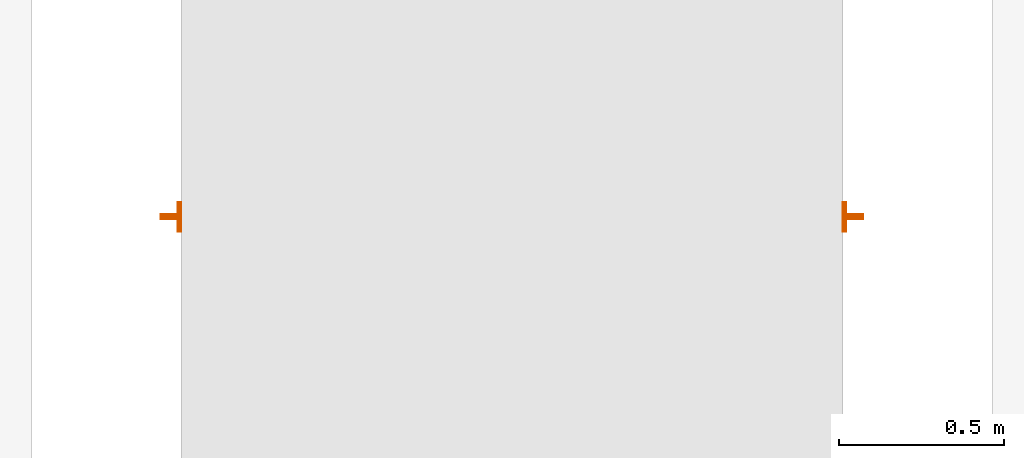
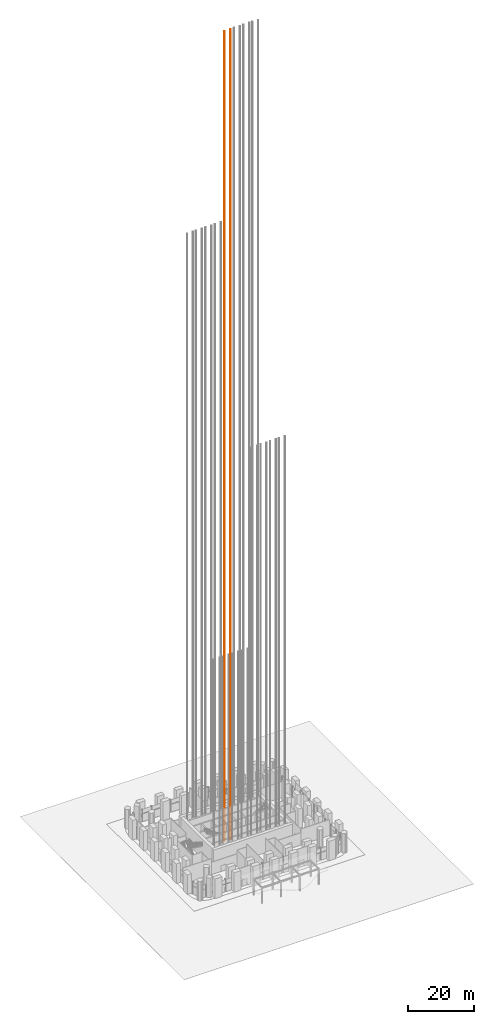
# One storey, part 29 of 32: 1 proxy.
"""IFC4 building model written with IfcOpenShell, lengths in metres."""

import ifcopenshell
import ifcopenshell.guid

model = None  # the IFC model being written
_history = None  # IfcOwnerHistory: only IFC2X3 demands one
_inside = {}  # id of a spatial element -> (the spatial element, [elements in it])
_under = {}  # id of a project, library or spatial element -> (it, [spatial elements below it])
_declared = {}  # id of a project -> (the project, [libraries it declares])
_typed = {}  # id of a type object -> (the type object, [elements of that type])
_made_of = {}  # id of a material, layer set ... -> (it, [elements and type objects made of it])


def new_model(schema):
    """Start an empty IFC model of exactly this schema.

    Asked for "IFC4X3", IfcOpenShell would pick the latest addendum, in which some entities
    have other attributes; the version numbers below select the first issue.
    IFC2X3 requires an IfcOwnerHistory on every rooted entity: one is made here for all.
    """
    global model, _history
    if schema == "IFC4X3":
        model = ifcopenshell.file(schema_version=(4, 3, 0, 0))
    else:
        model = ifcopenshell.file(schema=schema)
    _inside.clear()
    _under.clear()
    _declared.clear()
    _typed.clear()
    _made_of.clear()
    _history = None
    if model.schema == "IFC2X3":
        org = make("IfcOrganization", Name="unknown")
        user = make(
            "IfcPersonAndOrganization",
            ThePerson=make("IfcPerson", FamilyName="unknown"),
            TheOrganization=org,
        )
        app = make(
            "IfcApplication",
            ApplicationDeveloper=org,
            Version="unknown",
            ApplicationFullName="unknown",
            ApplicationIdentifier="unknown",
        )
        _history = make(
            "IfcOwnerHistory",
            OwningUser=user,
            OwningApplication=app,
            ChangeAction="ADDED",
            CreationDate=0,
        )
    return model


def make(cls, **values):
    """One entity of the class cls with the attributes given. An attribute that is None is left unset."""
    return model.create_entity(
        cls, **{name: value for name, value in values.items() if value is not None}
    )


def rooted(cls, **values):
    """An entity with a GlobalId (a new one), such as an element, a storey or a relation."""
    return make(cls, GlobalId=ifcopenshell.guid.new(), OwnerHistory=_history, **values)


def si_unit(unit_type, name, prefix=None):
    """IfcSIUnit, for example si_unit("LENGTHUNIT", "METRE", prefix="MILLI")."""
    return make("IfcSIUnit", UnitType=unit_type, Prefix=prefix, Name=name)


def assignment(units):
    """IfcUnitAssignment: the units of a project."""
    return None if units is None else make("IfcUnitAssignment", Units=units)


def point(xyz):
    """IfcCartesianPoint."""
    return None if xyz is None else make("IfcCartesianPoint", Coordinates=xyz)


def direction(xyz):
    """IfcDirection."""
    return None if xyz is None else make("IfcDirection", DirectionRatios=xyz)


def frame(location, z_axis=None, x_axis=None):
    """IfcAxis2Placement3D, a coordinate frame: its origin and axes. An axis left out is left unset."""
    return make(
        "IfcAxis2Placement3D",
        Location=point(location),
        Axis=direction(z_axis),
        RefDirection=direction(x_axis),
    )


def frame_2d(location, x_axis=None):
    """IfcAxis2Placement2D, a coordinate frame in the plane: its origin and x axis."""
    return make(
        "IfcAxis2Placement2D", Location=point(location), RefDirection=direction(x_axis)
    )


def origin():
    """The frame at (0, 0, 0) with its axes left unset."""
    return frame((0.0, 0.0, 0.0))


def origin_2d():
    """The frame at (0, 0) in the plane with its x axis left unset."""
    return frame_2d((0.0, 0.0))


def place(relative_to, where):
    """IfcLocalPlacement: puts the frame where relative to a parent placement (None: the world)."""
    return make(
        "IfcLocalPlacement", PlacementRelTo=relative_to, RelativePlacement=where
    )


def context(
    kind, dimensions, precision=None, world=None, true_north=None, identifier=None
):
    """IfcGeometricRepresentationContext, for example the 3D "Model" context."""
    return make(
        "IfcGeometricRepresentationContext",
        ContextIdentifier=identifier,
        ContextType=kind,
        CoordinateSpaceDimension=dimensions,
        Precision=precision,
        WorldCoordinateSystem=world,
        TrueNorth=true_north,
    )


def subcontext(parent, identifier, kind, view, scale=None):
    """IfcGeometricRepresentationSubContext, for example "Body" below "Model"."""
    return make(
        "IfcGeometricRepresentationSubContext",
        ContextIdentifier=identifier,
        ContextType=kind,
        ParentContext=parent,
        TargetScale=scale,
        TargetView=view,
    )


def project(units=None, contexts=None):
    """IfcProject with its units and contexts."""
    return rooted(
        "IfcProject",
        Name="project",
        RepresentationContexts=contexts,
        UnitsInContext=assignment(units),
    )


def spatial(cls, under=None, at=None, **own):
    """A site, building, storey or space (cls), placed at a placement, below another one or the project."""
    s = rooted(cls, ObjectPlacement=at, **own)
    if under is not None:
        _under.setdefault(under.id(), (under, []))[1].append(s)
    return s


def profile(cls, at=None, kind="AREA", **sizes):
    """A parametric profile (cls). Its sizes go by their IFC names, for example OverallWidth=200.0."""
    return make(cls, ProfileType=kind, Position=at, **sizes)


def t_section(**sizes):
    """IfcTShapeProfileDef."""
    return profile("IfcTShapeProfileDef", **sizes)


def extrude(swept, where, along, depth):
    """IfcExtrudedAreaSolid: the profile swept, set in the frame where, extruded along a direction by depth."""
    return make(
        "IfcExtrudedAreaSolid",
        SweptArea=swept,
        Position=where,
        ExtrudedDirection=direction(along),
        Depth=depth,
    )


def shape(context_of_items, identifier, shape_type, items):
    """IfcShapeRepresentation: the items that make up one representation, for example the "Body"."""
    return make(
        "IfcShapeRepresentation",
        ContextOfItems=context_of_items,
        RepresentationIdentifier=identifier,
        RepresentationType=shape_type,
        Items=items,
    )


def material(Name=None, Category=None):
    """IfcMaterial."""
    return make("IfcMaterial", Name=Name, Category=Category)


def made_of(thing, what):
    """Note that an element or type object is made of a material, layer set ...; save() writes the relation."""
    if what is not None:
        _made_of.setdefault(what.id(), (what, []))[1].append(thing)
    return thing


def type_object(cls, material=None, **own):
    """A type object (cls), such as IfcWallType, which elements share."""
    return made_of(rooted(cls, **own), material)


def element(
    cls,
    number,
    at=None,
    inside=None,
    cuts=None,
    type_object=None,
    material=None,
    context=None,
    identifier="Body",
    shape_type=None,
    held_by="IfcProductDefinitionShape",
    body=None,
    shapes=None,
    **own,
):
    """One element of the class cls, such as IfcWall. Its Tag is "e" and its number.

    at: its placement. inside: the storey or other place that contains it. cuts: it is an
    opening in that element (IfcRelVoidsElement). A single representation is given by context,
    identifier, shape_type and body (its items); several are given by shapes. held_by: the class
    of the entity that holds the representations. save() writes the other relations.
    """
    e = rooted(cls, Tag="e%d" % number, ObjectPlacement=at, **own)
    if body is not None:
        shapes = [shape(context, identifier, shape_type, body)]
    if shapes is not None:
        e.Representation = make(held_by, Representations=shapes)
    if inside is not None:
        _inside.setdefault(inside.id(), (inside, []))[1].append(e)
    if cuts is not None:
        rooted(
            "IfcRelVoidsElement", RelatingBuildingElement=cuts, RelatedOpeningElement=e
        )
    if type_object is not None:
        _typed.setdefault(type_object.id(), (type_object, []))[1].append(e)
    return made_of(e, material)


def aggregate(whole, parts):
    """IfcRelAggregates: a whole, such as a stair, and the parts it consists of."""
    return rooted("IfcRelAggregates", RelatingObject=whole, RelatedObjects=parts)


def save(model, path):
    """Write the relations noted so far, then the file.

    IfcRelAggregates (storeys below a building ...), IfcRelContainedInSpatialStructure (elements
    in a storey), IfcRelDefinesByType, IfcRelAssociatesMaterial and IfcRelDeclares: one each for
    every whole, place, type object, material and project.
    """
    for whole, parts in _under.values():
        aggregate(whole, parts)
    for where, things in _inside.values():
        rooted(
            "IfcRelContainedInSpatialStructure",
            RelatedElements=things,
            RelatingStructure=where,
        )
    for kind, things in _typed.values():
        rooted("IfcRelDefinesByType", RelatedObjects=things, RelatingType=kind)
    for what, things in _made_of.values():
        rooted("IfcRelAssociatesMaterial", RelatedObjects=things, RelatingMaterial=what)
    for by, libraries in _declared.values():
        rooted("IfcRelDeclares", RelatingContext=by, RelatedDefinitions=libraries)
    model.write(path)


model = new_model("IFC4")

# Units and contexts
model_context = context("Model", 3, precision=1e-05, world=origin(), true_north=direction((0.0, 1.0)))
body_context = subcontext(model_context, "Body", "Model", "MODEL_VIEW")
ifc_project = project(units=[si_unit("LENGTHUNIT", "METRE"), si_unit("AREAUNIT", "SQUARE_METRE"), si_unit("VOLUMEUNIT", "CUBIC_METRE"), si_unit("PLANEANGLEUNIT", "RADIAN"), si_unit("MASSUNIT", "GRAM", prefix="KILO")], contexts=[model_context])

# Site, building, storey
site_placement = place(None, origin())
site = spatial("IfcSite", under=ifc_project, at=site_placement, CompositionType="ELEMENT")
building_placement = place(site_placement, origin())
building = spatial("IfcBuilding", under=site, at=building_placement, Name="Cobogo Forest Laboratory Tower", CompositionType="ELEMENT")
storey_placement = place(building_placement, origin())
storey = spatial("IfcBuildingStorey", under=building, at=storey_placement, Name="L00", CompositionType="ELEMENT", Elevation=0.0)

# Proxy
ifc_material = material(Name="Steel guide rail", Category="steel")
building_element_proxy_type = type_object("IfcBuildingElementProxyType", Name="LR lift guide rails", PredefinedType="USERDEFINED", material=ifc_material)
proxy_placement = place(storey_placement, frame((28.050048828125, 31.0, 0.0)))
element("IfcBuildingElementProxy", 1, at=proxy_placement, inside=storey, type_object=building_element_proxy_type, Name="LD1 guide rails", ObjectType="LIFT GUIDE RAILS", PredefinedType="USERDEFINED", context=body_context, shape_type="SweptSolid", body=[
    extrude(t_section(Depth=0.062, FlangeWidth=0.089, WebThickness=0.0159, FlangeThickness=0.01, at=origin_2d()), frame((-1.031005859375, 0.0, -5.39990234375), z_axis=(0.0, 0.0, 1.0), x_axis=(0.0, -1.0, 0.0)), (0.0, 0.0, 1.0), 297.64990234375),
    extrude(t_section(Depth=0.062, FlangeWidth=0.089, WebThickness=0.0159, FlangeThickness=0.01, at=origin_2d()), frame((1.031005859375, 0.0, -5.39990234375), z_axis=(0.0, 0.0, 1.0), x_axis=(0.0, 1.0, 0.0)), (0.0, 0.0, 1.0), 297.64990234375),
])

save(model, "model.ifc")
